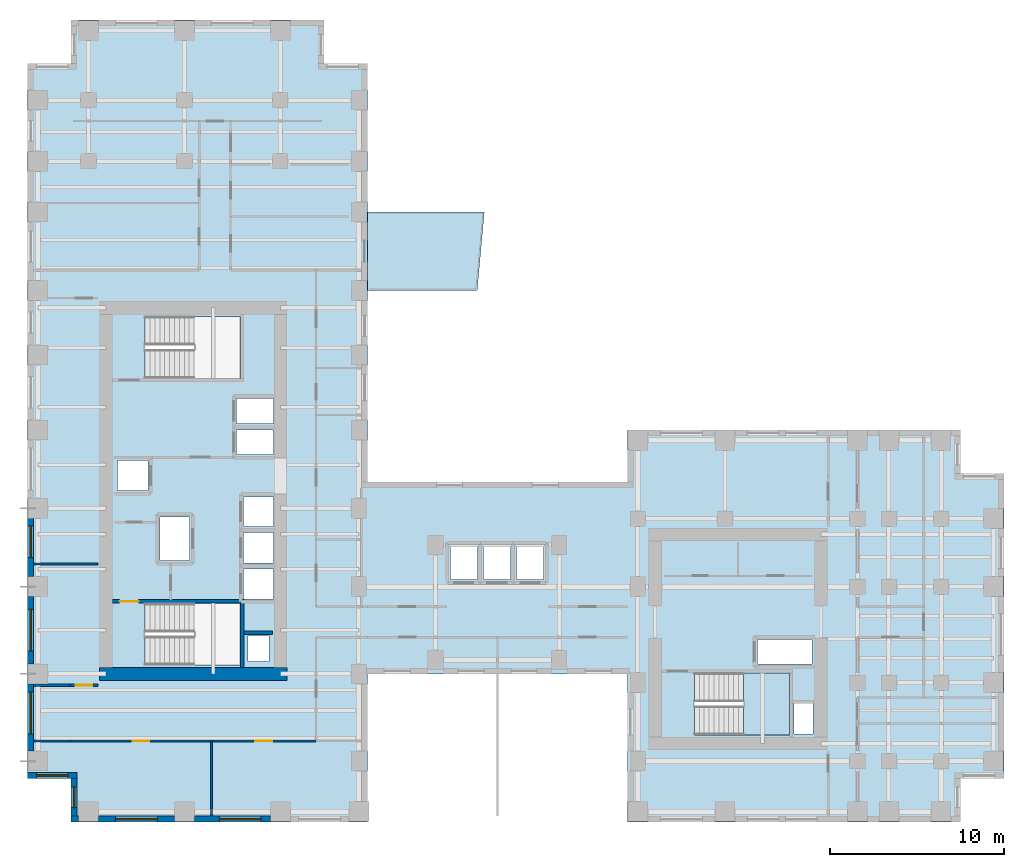
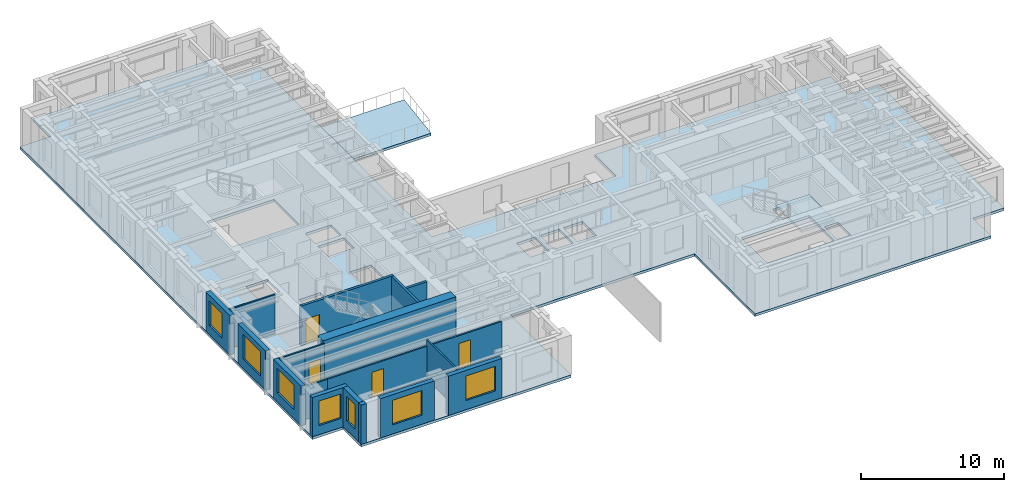
# One storey, part 3 of 11: 19 walls, 7 windows, 4 doors, 3 slabs, 11 openings, 1 element without a shape of its own.
"""IFC4 building model written with IfcOpenShell, lengths in metres."""

from ifc_helpers import new_model, si_unit, direction, frame, frame_2d, origin, place, context, subcontext, project, spatial, polyline, rectangle, outline, extrude, source, transform, mapped, material, layer, layer_set, type_object, element, fill, aggregate, save


model = new_model("IFC4")

# Units and contexts
model_context = context("Model", 3, precision=1e-05, world=origin(), true_north=direction((0.0, 1.0)))
body_context = subcontext(model_context, "Body", "Model", "MODEL_VIEW")
ifc_project = project(units=[si_unit("LENGTHUNIT", "METRE"), si_unit("AREAUNIT", "SQUARE_METRE"), si_unit("VOLUMEUNIT", "CUBIC_METRE"), si_unit("PLANEANGLEUNIT", "RADIAN"), si_unit("MASSUNIT", "GRAM", prefix="KILO")], contexts=[model_context])

# Site, building, storey
site_placement = place(None, origin())
site = spatial("IfcSite", under=ifc_project, at=site_placement, CompositionType="ELEMENT")
building_placement = place(site_placement, origin())
building = spatial("IfcBuilding", under=site, at=building_placement, Name="Kharzan Plaza Tower", CompositionType="ELEMENT")
storey_placement = place(building_placement, frame((0.0, 0.0, 127.800048828125)))
storey = spatial("IfcBuildingStorey", under=building, at=storey_placement, Name="L34", CompositionType="ELEMENT", Elevation=127.800048828125)

# Slab
ifc_material_1 = material(Name="Concrete C40/50", Category="concrete")
ifc_layer_1 = layer(ifc_material_1, 0.219970703125)
ifc_layer_set_1 = layer_set([ifc_layer_1], Name="Concrete C40/50")
slab_type_1 = type_object("IfcSlabType", Name="SL-FLOOR-220", PredefinedType="FLOOR", material=ifc_layer_set_1)
slab_1_placement = place(storey_placement, frame((0.0, 0.0, -0.219970703125)))
element("IfcSlab", 1, at=slab_1_placement, inside=storey, type_object=slab_type_1, Name="L34 Composite Structural Floor Slab 220 mm", PredefinedType="FLOOR", context=body_context, shape_type="SweptSolid", body=[
    extrude(outline(polyline([(34.39990234375, 19.5), (19.5, 19.5), (19.5, 43.5), (17.0, 43.5), (17.0, 46.0), (2.5, 46.0), (2.5, 43.5), (0.0, 43.5), (0.0, 2.5), (2.5, 2.5), (2.5, 0.0), (19.5, 0.0), (19.5, 8.5), (34.39990234375, 8.5), (34.39990234375, 0.0), (53.5, 0.0), (53.5, 2.5), (56.0, 2.5), (56.0, 20.0), (53.5, 20.0), (53.5, 22.5), (34.39990234375, 22.5), (34.39990234375, 19.5)]), holes=[polyline([(12.199951171875, 9.0), (12.199951171875, 12.550048828125), (6.75, 12.550048828125), (6.75, 9.0), (12.199951171875, 9.0)]), polyline([(14.10009765625, 12.800048828125), (14.10009765625, 14.530029296875), (12.39990234375, 14.530029296875), (12.39990234375, 12.800048828125), (14.10009765625, 12.800048828125)]), polyline([(14.10009765625, 14.8701171875), (14.10009765625, 16.60009765625), (12.39990234375, 16.60009765625), (12.39990234375, 14.8701171875), (14.10009765625, 14.8701171875)]), polyline([(9.300048828125, 15.0), (9.300048828125, 17.5), (7.60009765625, 17.5), (7.60009765625, 15.0), (9.300048828125, 15.0)]), polyline([(6.89990234375, 19.010009765625), (6.89990234375, 20.72998046875), (5.14990234375, 20.72998046875), (5.14990234375, 19.010009765625), (6.89990234375, 19.010009765625)]), polyline([(14.10009765625, 21.070068359375), (14.10009765625, 22.489990234375), (12.0, 22.489990234375), (12.0, 21.070068359375), (14.10009765625, 21.070068359375)]), polyline([(14.10009765625, 22.8701171875), (14.10009765625, 24.2900390625), (12.0, 24.2900390625), (12.0, 22.8701171875), (14.10009765625, 22.8701171875)]), polyline([(12.199951171875, 25.449951171875), (12.199951171875, 29.0), (6.75, 29.0), (6.75, 25.449951171875), (12.199951171875, 25.449951171875)]), polyline([(45.050048828125, 5.050048828125), (45.050048828125, 6.800048828125), (43.949951171875, 6.800048828125), (43.949951171875, 5.050048828125), (45.050048828125, 5.050048828125)]), polyline([(43.699951171875, 5.0), (43.699951171875, 8.550048828125), (38.25, 8.550048828125), (38.25, 5.0), (43.699951171875, 5.0)]), polyline([(45.0, 9.070068359375), (45.0, 10.469970703125), (41.85009765625, 10.469970703125), (41.85009765625, 9.070068359375), (45.0, 9.070068359375)]), polyline([(13.85009765625, 9.199951171875), (13.85009765625, 10.699951171875), (12.64990234375, 10.699951171875), (12.64990234375, 9.199951171875), (13.85009765625, 9.199951171875)]), polyline([(25.800048828125, 13.89990234375), (25.800048828125, 15.85009765625), (24.25, 15.85009765625), (24.25, 13.89990234375), (25.800048828125, 13.89990234375)]), polyline([(27.699951171875, 13.89990234375), (27.699951171875, 15.85009765625), (26.14990234375, 15.85009765625), (26.14990234375, 13.89990234375), (27.699951171875, 13.89990234375)]), polyline([(29.60009765625, 13.89990234375), (29.60009765625, 15.85009765625), (28.050048828125, 15.85009765625), (28.050048828125, 13.89990234375), (29.60009765625, 13.89990234375)]), polyline([(14.10009765625, 16.93994140625), (14.10009765625, 18.64990234375), (12.39990234375, 18.64990234375), (12.39990234375, 16.93994140625), (14.10009765625, 16.93994140625)])]), origin(), (0.0, 0.0, 1.0), 0.219970703125),
])

# Stair, slab
stair_type = type_object("IfcStairType", Name="STR-ST-3", PredefinedType="HALF_TURN_STAIR", material=ifc_material_1)
stair_placement = place(storey_placement, origin())
stair = element("IfcStair", 2, at=stair_placement, inside=storey, type_object=stair_type, Name="L34 Protected Exit Stair ST-3", PredefinedType="HALF_TURN_STAIR")
ifc_layer_2 = layer(ifc_material_1, 0.219970703125)
ifc_layer_set_2 = layer_set([ifc_layer_2], Name="Concrete C40/50")
slab_type_2 = type_object("IfcSlabType", Name="SL-LANDING-220", PredefinedType="LANDING", material=ifc_layer_set_2)
slab_2_placement = place(storey_placement, frame((0.0, 0.0, 1.599853515625)))
slab_2 = element("IfcSlab", 3, at=slab_2_placement, type_object=slab_type_2, Name="ST-3 landing 1", PredefinedType="LANDING", context=body_context, shape_type="SweptSolid", body=[
    extrude(outline(polyline([(41.050048828125, 5.0), (43.699951171875, 5.0), (43.699951171875, 8.550048828125), (41.050048828125, 8.550048828125), (41.050048828125, 5.0)])), origin(), (0.0, 0.0, 1.0), 0.2001953125),
])
aggregate(stair, [slab_2])

# Slab
ifc_layer_3 = layer(ifc_material_1, 0.215087890625)
ifc_layer_set_3 = layer_set([ifc_layer_3], Name="Concrete C40/50")
slab_type_3 = type_object("IfcSlabType", Name="SL-TRAY-215", PredefinedType="ROOF", material=ifc_layer_set_3)
slab_3_placement = place(storey_placement, frame((0.0, 0.0, -0.215087890625)))
element("IfcSlab", 4, at=slab_3_placement, inside=storey, type_object=slab_type_3, Name="L34 Sky Terrace Tray Slab", PredefinedType="ROOF", context=body_context, shape_type="SweptSolid", body=[
    extrude(outline(polyline([(19.5, 30.5), (25.7900390625, 30.5), (26.199951171875, 35.0), (19.5, 35.0), (19.5, 30.5)])), origin(), (0.0, 0.0, 1.0), 0.215087890625),
])

# Wall, opening, window
ifc_layer_4 = layer(ifc_material_1, 0.35009765625)
ifc_layer_set_4 = layer_set([ifc_layer_4], Name="Concrete C40/50")
wall_type_1 = type_object("IfcWallType", Name="WL-EXT-MAS-Z2", PredefinedType="SOLIDWALL", material=ifc_layer_set_4)
wall_1_placement = place(storey_placement, frame((0.175048828125, 17.427001953125, 0.0), z_axis=(0.0, 0.0, 1.0), x_axis=(0.0, -1.0, 0.0)))
wall_1 = element("IfcWall", 5, at=wall_1_placement, inside=storey, type_object=wall_type_1, Name="L34 Masonry-Frame Exterior Wall 23", PredefinedType="SOLIDWALL", context=body_context, shape_type="SweptSolid", body=[
    extrude(rectangle(XDim=3.35400390625, YDim=0.35009765625, at=frame_2d((1.677001953125, 0.0))), origin(), (0.0, 0.0, 1.0), 3.364990234375),
])
opening_1_placement = place(wall_1_placement, frame((0.448486328125, 0.0, 0.780029296875)))
opening_1 = element("IfcOpeningElement", 6, at=opening_1_placement, cuts=wall_1, Name="Opening W1", PredefinedType="OPENING", context=body_context, shape_type="SweptSolid", body=[
    extrude(rectangle(XDim=1.800048828125, YDim=2.10009765625, at=frame_2d((0.89990234375, 1.050048828125))), frame((0.0, 0.18505859375, 0.0), z_axis=(0.0, -1.0, 0.0), x_axis=(1.0, 0.0, 0.0)), (0.0, 0.0, 1.0), 0.3701171875),
])
ifc_material_2 = material(Name="Low-E Double Glazing", Category="glass")
window_type_1 = type_object("IfcWindowType", Name="WN-REC-1800x2100", PartitioningType="SINGLE_PANEL", PredefinedType="WINDOW", material=ifc_material_2)
shared_shape_1 = source(origin(), body_context, "Body", "SweptSolid", [
    extrude(rectangle(XDim=1.800048828125, YDim=2.10009765625, at=frame_2d((0.89990234375, 1.050048828125))), frame((0.0, 0.030029296875, 0.0), z_axis=(0.0, -1.0, 0.0), x_axis=(1.0, 0.0, 0.0)), (0.0, 0.0, 1.0), 0.06005859375),
])
window_1_placement = place(opening_1_placement, origin())
window_1 = element("IfcWindow", 7, at=window_1_placement, inside=storey, type_object=window_type_1, Name="L34 Recessed Solar-Control Window 23-1", OverallHeight=2.10009765625, OverallWidth=1.800048828125, PartitioningType="SINGLE_PANEL", PredefinedType="WINDOW", context=body_context, shape_type="MappedRepresentation", body=[
    mapped(shared_shape_1, transform((0.0, 0.0, 0.0), x_axis=(1.0, 0.0, 0.0), y_axis=(0.0, 1.0, 0.0), z_axis=(0.0, 0.0, 1.0))),
])
fill(opening_1, window_1)

wall_2_placement = place(storey_placement, frame((0.175048828125, 12.927001953125, 0.0), z_axis=(0.0, 0.0, 1.0), x_axis=(0.0, -1.0, 0.0)))
wall_2 = element("IfcWall", 8, at=wall_2_placement, inside=storey, type_object=wall_type_1, Name="L34 Masonry-Frame Exterior Wall 24", PredefinedType="SOLIDWALL", context=body_context, shape_type="SweptSolid", body=[
    extrude(rectangle(XDim=3.85400390625, YDim=0.35009765625, at=frame_2d((1.927001953125, 0.0))), origin(), (0.0, 0.0, 1.0), 3.364990234375),
])
opening_2_placement = place(wall_2_placement, frame((0.72705078125, 0.0, 0.780029296875)))
opening_2 = element("IfcOpeningElement", 9, at=opening_2_placement, cuts=wall_2, Name="Opening W2", PredefinedType="OPENING", context=body_context, shape_type="SweptSolid", body=[
    extrude(rectangle(XDim=2.39990234375, YDim=2.10009765625, at=frame_2d((1.199951171875, 1.050048828125))), frame((0.0, 0.18505859375, 0.0), z_axis=(0.0, -1.0, 0.0), x_axis=(1.0, 0.0, 0.0)), (0.0, 0.0, 1.0), 0.3701171875),
])
window_type_2 = type_object("IfcWindowType", Name="WN-REC-2400x2100", PartitioningType="SINGLE_PANEL", PredefinedType="WINDOW", material=ifc_material_2)
shared_shape_2 = source(origin(), body_context, "Body", "SweptSolid", [
    extrude(rectangle(XDim=2.39990234375, YDim=2.10009765625, at=frame_2d((1.199951171875, 1.050048828125))), frame((0.0, 0.030029296875, 0.0), z_axis=(0.0, -1.0, 0.0), x_axis=(1.0, 0.0, 0.0)), (0.0, 0.0, 1.0), 0.06005859375),
])
window_2_placement = place(opening_2_placement, origin())
window_2 = element("IfcWindow", 10, at=window_2_placement, inside=storey, type_object=window_type_2, Name="L34 Wide Recessed Solar-Control Window 24-1", OverallHeight=2.10009765625, OverallWidth=2.39990234375, PartitioningType="SINGLE_PANEL", PredefinedType="WINDOW", context=body_context, shape_type="MappedRepresentation", body=[
    mapped(shared_shape_2, transform((0.0, 0.0, 0.0), x_axis=(1.0, 0.0, 0.0), y_axis=(0.0, 1.0, 0.0), z_axis=(0.0, 0.0, 1.0))),
])
fill(opening_2, window_2)

wall_3_placement = place(storey_placement, frame((0.175048828125, 7.927001953125, 0.0), z_axis=(0.0, 0.0, 1.0), x_axis=(0.0, -1.0, 0.0)))
wall_3 = element("IfcWall", 11, at=wall_3_placement, inside=storey, type_object=wall_type_1, Name="L34 Masonry-Frame Exterior Wall 25", PredefinedType="SOLIDWALL", context=body_context, shape_type="SweptSolid", body=[
    extrude(rectangle(XDim=3.85400390625, YDim=0.35009765625, at=frame_2d((1.927001953125, 0.0))), origin(), (0.0, 0.0, 1.0), 3.364990234375),
])
opening_3_placement = place(wall_3_placement, frame((0.47705078125, 0.0, 0.780029296875)))
opening_3 = element("IfcOpeningElement", 12, at=opening_3_placement, cuts=wall_3, Name="Opening W2", PredefinedType="OPENING", context=body_context, shape_type="SweptSolid", body=[
    extrude(rectangle(XDim=2.39990234375, YDim=2.10009765625, at=frame_2d((1.199951171875, 1.050048828125))), frame((0.0, 0.18505859375, 0.0), z_axis=(0.0, -1.0, 0.0), x_axis=(1.0, 0.0, 0.0)), (0.0, 0.0, 1.0), 0.3701171875),
])
window_3_placement = place(opening_3_placement, origin())
window_3 = element("IfcWindow", 13, at=window_3_placement, inside=storey, type_object=window_type_2, Name="L34 Wide Recessed Solar-Control Window 25-1", OverallHeight=2.10009765625, OverallWidth=2.39990234375, PartitioningType="SINGLE_PANEL", PredefinedType="WINDOW", context=body_context, shape_type="MappedRepresentation", body=[
    mapped(shared_shape_2, transform((0.0, 0.0, 0.0), x_axis=(1.0, 0.0, 0.0), y_axis=(0.0, 1.0, 0.0), z_axis=(0.0, 0.0, 1.0))),
])
fill(opening_3, window_3)

wall_4_placement = place(storey_placement, frame((0.0, 2.675048828125, 0.0), z_axis=(0.0, 0.0, 1.0), x_axis=(1.0, 0.0, 0.0)))
wall_4 = element("IfcWall", 14, at=wall_4_placement, inside=storey, type_object=wall_type_1, Name="L34 Masonry-Frame Exterior Wall 26", PredefinedType="SOLIDWALL", context=body_context, shape_type="SweptSolid", body=[
    extrude(rectangle(XDim=2.85009765625, YDim=0.35009765625, at=frame_2d((1.425048828125, 0.0))), origin(), (0.0, 0.0, 1.0), 3.364990234375),
])
opening_4_placement = place(wall_4_placement, frame((0.52490234375, 0.0, 0.780029296875)))
opening_4 = element("IfcOpeningElement", 15, at=opening_4_placement, cuts=wall_4, Name="Opening W1", PredefinedType="OPENING", context=body_context, shape_type="SweptSolid", body=[
    extrude(rectangle(XDim=1.800048828125, YDim=2.10009765625, at=frame_2d((0.89990234375, 1.050048828125))), frame((0.0, 0.18505859375, 0.0), z_axis=(0.0, -1.0, 0.0), x_axis=(1.0, 0.0, 0.0)), (0.0, 0.0, 1.0), 0.3701171875),
])
window_4_placement = place(opening_4_placement, origin())
window_4 = element("IfcWindow", 16, at=window_4_placement, inside=storey, type_object=window_type_1, Name="L34 Recessed Solar-Control Window 26-1", OverallHeight=2.10009765625, OverallWidth=1.800048828125, PartitioningType="SINGLE_PANEL", PredefinedType="WINDOW", context=body_context, shape_type="MappedRepresentation", body=[
    mapped(shared_shape_1, transform((0.0, 0.0, 0.0), x_axis=(1.0, 0.0, 0.0), y_axis=(0.0, 1.0, 0.0), z_axis=(0.0, 0.0, 1.0))),
])
fill(opening_4, window_4)

wall_5_placement = place(storey_placement, frame((2.675048828125, 2.501953125, 0.0), z_axis=(0.0, 0.0, 1.0), x_axis=(0.0, -1.0, 0.0)))
wall_5 = element("IfcWall", 17, at=wall_5_placement, inside=storey, type_object=wall_type_1, Name="L34 Masonry-Frame Exterior Wall 27", PredefinedType="SOLIDWALL", context=body_context, shape_type="SweptSolid", body=[
    extrude(rectangle(XDim=2.154052734375, YDim=0.35009765625, at=frame_2d((1.0771484375, 0.0))), origin(), (0.0, 0.0, 1.0), 3.364990234375),
])
opening_5_placement = place(wall_5_placement, frame((0.47705078125, 0.0, 0.780029296875)))
opening_5 = element("IfcOpeningElement", 18, at=opening_5_placement, cuts=wall_5, Name="Opening W3", PredefinedType="OPENING", context=body_context, shape_type="SweptSolid", body=[
    extrude(rectangle(XDim=1.199951171875, YDim=2.10009765625, at=frame_2d((0.60009765625, 1.050048828125))), frame((0.0, 0.18505859375, 0.0), z_axis=(0.0, -1.0, 0.0), x_axis=(1.0, 0.0, 0.0)), (0.0, 0.0, 1.0), 0.3701171875),
])
window_type_3 = type_object("IfcWindowType", Name="WN-REC-1200x2100", PartitioningType="SINGLE_PANEL", PredefinedType="WINDOW", material=ifc_material_2)
shared_shape_3 = source(origin(), body_context, "Body", "SweptSolid", [
    extrude(rectangle(XDim=1.199951171875, YDim=2.10009765625, at=frame_2d((0.60009765625, 1.050048828125))), frame((0.0, 0.030029296875, 0.0), z_axis=(0.0, -1.0, 0.0), x_axis=(1.0, 0.0, 0.0)), (0.0, 0.0, 1.0), 0.06005859375),
])
window_5_placement = place(opening_5_placement, origin())
window_5 = element("IfcWindow", 19, at=window_5_placement, inside=storey, type_object=window_type_3, Name="L34 Recessed Solar-Control Window 27-1", OverallHeight=2.10009765625, OverallWidth=1.199951171875, PartitioningType="SINGLE_PANEL", PredefinedType="WINDOW", context=body_context, shape_type="MappedRepresentation", body=[
    mapped(shared_shape_3, transform((0.0, 0.0, 0.0), x_axis=(1.0, 0.0, 0.0), y_axis=(0.0, 1.0, 0.0), z_axis=(0.0, 0.0, 1.0))),
])
fill(opening_5, window_5)

wall_6_placement = place(storey_placement, frame((4.072998046875, 0.175048828125, 0.0), z_axis=(0.0, 0.0, 1.0), x_axis=(1.0, 0.0, 0.0)))
wall_6 = element("IfcWall", 20, at=wall_6_placement, inside=storey, type_object=wall_type_1, Name="L34 Masonry-Frame Exterior Wall 29", PredefinedType="SOLIDWALL", context=body_context, shape_type="SweptSolid", body=[
    extrude(rectangle(XDim=4.35400390625, YDim=0.35009765625, at=frame_2d((2.177001953125, 0.0))), origin(), (0.0, 0.0, 1.0), 3.364990234375),
])
opening_6_placement = place(wall_6_placement, frame((0.97705078125, 0.0, 0.780029296875)))
opening_6 = element("IfcOpeningElement", 21, at=opening_6_placement, cuts=wall_6, Name="Opening W2", PredefinedType="OPENING", context=body_context, shape_type="SweptSolid", body=[
    extrude(rectangle(XDim=2.39990234375, YDim=2.10009765625, at=frame_2d((1.199951171875, 1.050048828125))), frame((0.0, 0.18505859375, 0.0), z_axis=(0.0, -1.0, 0.0), x_axis=(1.0, 0.0, 0.0)), (0.0, 0.0, 1.0), 0.3701171875),
])
window_6_placement = place(opening_6_placement, origin())
window_6 = element("IfcWindow", 22, at=window_6_placement, inside=storey, type_object=window_type_2, Name="L34 Wide Recessed Solar-Control Window 29-1", OverallHeight=2.10009765625, OverallWidth=2.39990234375, PartitioningType="SINGLE_PANEL", PredefinedType="WINDOW", context=body_context, shape_type="MappedRepresentation", body=[
    mapped(shared_shape_2, transform((0.0, 0.0, 0.0), x_axis=(1.0, 0.0, 0.0), y_axis=(0.0, 1.0, 0.0), z_axis=(0.0, 0.0, 1.0))),
])
fill(opening_6, window_6)

wall_7_placement = place(storey_placement, frame((9.572998046875, 0.175048828125, 0.0), z_axis=(0.0, 0.0, 1.0), x_axis=(1.0, 0.0, 0.0)))
wall_7 = element("IfcWall", 23, at=wall_7_placement, inside=storey, type_object=wall_type_1, Name="L34 Masonry-Frame Exterior Wall 30", PredefinedType="SOLIDWALL", context=body_context, shape_type="SweptSolid", body=[
    extrude(rectangle(XDim=4.35400390625, YDim=0.35009765625, at=frame_2d((2.177001953125, 0.0))), origin(), (0.0, 0.0, 1.0), 3.364990234375),
])
opening_7_placement = place(wall_7_placement, frame((1.427490234375, 0.0, 0.780029296875)))
opening_7 = element("IfcOpeningElement", 24, at=opening_7_placement, cuts=wall_7, Name="Opening W2", PredefinedType="OPENING", context=body_context, shape_type="SweptSolid", body=[
    extrude(rectangle(XDim=2.39990234375, YDim=2.10009765625, at=frame_2d((1.199951171875, 1.050048828125))), frame((0.0, 0.18505859375, 0.0), z_axis=(0.0, -1.0, 0.0), x_axis=(1.0, 0.0, 0.0)), (0.0, 0.0, 1.0), 0.3701171875),
])
window_7_placement = place(opening_7_placement, origin())
window_7 = element("IfcWindow", 25, at=window_7_placement, inside=storey, type_object=window_type_2, Name="L34 Wide Recessed Solar-Control Window 30-1", OverallHeight=2.10009765625, OverallWidth=2.39990234375, PartitioningType="SINGLE_PANEL", PredefinedType="WINDOW", context=body_context, shape_type="MappedRepresentation", body=[
    mapped(shared_shape_2, transform((0.0, 0.0, 0.0), x_axis=(1.0, 0.0, 0.0), y_axis=(0.0, 1.0, 0.0), z_axis=(0.0, 0.0, 1.0))),
])
fill(opening_7, window_7)

# Wall, opening, door
ifc_material_3 = material(Name="Fire-Rated Gypsum Board Partition", Category="gypsum")
ifc_layer_5 = layer(ifc_material_3, 0.125)
ifc_layer_set_5 = layer_set([ifc_layer_5], Name="Fire-Rated Gypsum Board Partition")
wall_type_2 = type_object("IfcWallType", Name="WL-INT-PART-125", PredefinedType="PARTITIONING", material=ifc_layer_set_5)
wall_8_placement = place(storey_placement, frame((2.449951171875, 7.85009765625, 0.0), z_axis=(0.0, 0.0, 1.0), x_axis=(1.0, 0.0, 0.0)))
wall_8 = element("IfcWall", 26, at=wall_8_placement, inside=storey, type_object=wall_type_2, Name="L34 Interior Partition SH-RWSD", PredefinedType="PARTITIONING", context=body_context, shape_type="SweptSolid", body=[
    extrude(rectangle(XDim=1.60009765625, YDim=0.125, at=frame_2d((0.800048828125, 0.0))), origin(), (0.0, 0.0, 1.0), 3.364990234375),
])
opening_8_placement = place(wall_8_placement, frame((0.324951171875, 0.0, 0.0)))
opening_8 = element("IfcOpeningElement", 27, at=opening_8_placement, cuts=wall_8, Name="Opening OD1", PredefinedType="OPENING", context=body_context, shape_type="SweptSolid", body=[
    extrude(rectangle(XDim=0.949951171875, YDim=2.14990234375, at=frame_2d((0.47509765625, 1.074951171875))), frame((0.0, 0.072509765625, 0.0), z_axis=(0.0, -1.0, 0.0), x_axis=(1.0, 0.0, 0.0)), (0.0, 0.0, 1.0), 0.14501953125),
])
ifc_material_4 = material(Name="Acoustic Solid-Core Stained Oak", Category="timber")
door_type_1 = type_object("IfcDoorType", Name="DR-OFF-SINGLE", OperationType="NOTDEFINED", PredefinedType="DOOR", material=ifc_material_4)
shared_shape_4 = source(origin(), body_context, "Body", "SweptSolid", [
    extrude(rectangle(XDim=0.949951171875, YDim=2.14990234375, at=frame_2d((0.47509765625, 1.074951171875))), frame((0.0, 0.02490234375, 0.0), z_axis=(0.0, -1.0, 0.0), x_axis=(1.0, 0.0, 0.0)), (0.0, 0.0, 1.0), 0.050048828125),
])
door_1_placement = place(opening_8_placement, origin())
door_1 = element("IfcDoor", 28, at=door_1_placement, inside=storey, type_object=door_type_1, Name="L34 West Office 1 Door", OperationType="SINGLE_SWING_RIGHT", OverallHeight=2.14990234375, OverallWidth=0.949951171875, PredefinedType="DOOR", context=body_context, shape_type="MappedRepresentation", body=[
    mapped(shared_shape_4, transform((0.0, 0.0, 0.0), x_axis=(1.0, 0.0, 0.0), y_axis=(0.0, 1.0, 0.0), z_axis=(0.0, 0.0, 1.0))),
])
fill(opening_8, door_1)

wall_9_placement = place(storey_placement, frame((2.449951171875, 4.64990234375, 0.0), z_axis=(0.0, 0.0, 1.0), x_axis=(1.0, 0.0, 0.0)))
wall_9 = element("IfcWall", 29, at=wall_9_placement, inside=storey, type_object=wall_type_2, Name="L34 Interior Partition SH-SS-1", PredefinedType="PARTITIONING", context=body_context, shape_type="SweptSolid", body=[
    extrude(rectangle(XDim=8.093994140625, YDim=0.125, at=frame_2d((4.046875, 0.0))), origin(), (0.0, 0.0, 1.0), 2.827880859375),
])
opening_9_placement = place(wall_9_placement, frame((3.572021484375, 0.0, 0.0)))
opening_9 = element("IfcOpeningElement", 30, at=opening_9_placement, cuts=wall_9, Name="Opening OD1", PredefinedType="OPENING", context=body_context, shape_type="SweptSolid", body=[
    extrude(rectangle(XDim=0.949951171875, YDim=2.14990234375, at=frame_2d((0.47509765625, 1.074951171875))), frame((0.0, 0.072509765625, 0.0), z_axis=(0.0, -1.0, 0.0), x_axis=(1.0, 0.0, 0.0)), (0.0, 0.0, 1.0), 0.14501953125),
])
door_2_placement = place(opening_9_placement, origin())
door_2 = element("IfcDoor", 31, at=door_2_placement, inside=storey, type_object=door_type_1, Name="L34 Software Engineering Office Door", OperationType="SINGLE_SWING_RIGHT", OverallHeight=2.14990234375, OverallWidth=0.949951171875, PredefinedType="DOOR", context=body_context, shape_type="MappedRepresentation", body=[
    mapped(shared_shape_4, transform((0.0, 0.0, 0.0), x_axis=(1.0, 0.0, 0.0), y_axis=(0.0, 1.0, 0.0), z_axis=(0.0, 0.0, 1.0))),
])
fill(opening_9, door_2)

wall_10_placement = place(storey_placement, frame((10.5439453125, 4.64990234375, 0.0), z_axis=(0.0, 0.0, 1.0), x_axis=(1.0, 0.0, 0.0)))
wall_10 = element("IfcWall", 32, at=wall_10_placement, inside=storey, type_object=wall_type_2, Name="L34 Interior Partition SH-SS-2", PredefinedType="PARTITIONING", context=body_context, shape_type="SweptSolid", body=[
    extrude(rectangle(XDim=6.006103515625, YDim=0.125, at=frame_2d((3.0029296875, 0.0))), origin(), (0.0, 0.0, 1.0), 2.827880859375),
])
opening_10_placement = place(wall_10_placement, frame((2.528076171875, 0.0, 0.0)))
opening_10 = element("IfcOpeningElement", 33, at=opening_10_placement, cuts=wall_10, Name="Opening OD1", PredefinedType="OPENING", context=body_context, shape_type="SweptSolid", body=[
    extrude(rectangle(XDim=0.949951171875, YDim=2.14990234375, at=frame_2d((0.47509765625, 1.074951171875))), frame((0.0, 0.072509765625, 0.0), z_axis=(0.0, -1.0, 0.0), x_axis=(1.0, 0.0, 0.0)), (0.0, 0.0, 1.0), 0.14501953125),
])
door_3_placement = place(opening_10_placement, origin())
door_3 = element("IfcDoor", 34, at=door_3_placement, inside=storey, type_object=door_type_1, Name="L34 Cloud Architecture Office Door", OperationType="SINGLE_SWING_LEFT", OverallHeight=2.14990234375, OverallWidth=0.949951171875, PredefinedType="DOOR", context=body_context, shape_type="MappedRepresentation", body=[
    mapped(shared_shape_4, transform((0.0, 0.0, 0.0), x_axis=(1.0, 0.0, 0.0), y_axis=(0.0, 1.0, 0.0), z_axis=(0.0, 0.0, 1.0))),
])
fill(opening_10, door_3)

ifc_material_5 = material(Name="Concrete C50/60", Category="concrete")
ifc_layer_6 = layer(ifc_material_5, 0.199951171875)
ifc_layer_set_6 = layer_set([ifc_layer_6], Name="Concrete C50/60")
wall_type_3 = type_object("IfcWallType", Name="WL-SHAFT-RC200", PredefinedType="SHEAR", material=ifc_layer_set_6)
wall_11_placement = place(storey_placement, frame((4.876953125, 12.655029296875, 0.0), z_axis=(0.0, 0.0, 1.0), x_axis=(1.0, 0.0, 0.0)))
wall_11 = element("IfcWall", 35, at=wall_11_placement, inside=storey, type_object=wall_type_3, Name="L34 Stair ST-1 North RC Shaft Wall", PredefinedType="SHEAR", context=body_context, shape_type="SweptSolid", body=[
    extrude(rectangle(XDim=7.528076171875, YDim=0.199951171875, at=frame_2d((3.76416015625, 0.0))), origin(), (0.0, 0.0, 1.0), 3.3798828125),
])
opening_11_placement = place(wall_11_placement, frame((0.39990234375, 0.0, 0.0)))
opening_11 = element("IfcOpeningElement", 36, at=opening_11_placement, cuts=wall_11, Name="Opening SD1", PredefinedType="OPENING", context=body_context, shape_type="SweptSolid", body=[
    extrude(rectangle(XDim=1.10009765625, YDim=2.14990234375, at=frame_2d((0.550048828125, 1.074951171875))), frame((0.0, 0.10986328125, 0.0), z_axis=(0.0, -1.0, 0.0), x_axis=(1.0, 0.0, 0.0)), (0.0, 0.0, 1.0), 0.219970703125),
])
ifc_material_6 = material(Name="Fire-Rated Hollow Galvanized Steel", Category="steel")
door_type_2 = type_object("IfcDoorType", Name="DR-STAIR-FD120", OperationType="NOTDEFINED", PredefinedType="DOOR", material=ifc_material_6)
shared_shape_5 = source(origin(), body_context, "Body", "SweptSolid", [
    extrude(rectangle(XDim=1.10009765625, YDim=2.14990234375, at=frame_2d((0.550048828125, 1.074951171875))), frame((0.0, 0.02490234375, 0.0), z_axis=(0.0, -1.0, 0.0), x_axis=(1.0, 0.0, 0.0)), (0.0, 0.0, 1.0), 0.050048828125),
])
door_4_placement = place(opening_11_placement, origin())
door_4 = element("IfcDoor", 37, at=door_4_placement, inside=storey, type_object=door_type_2, Name="L34 Stair ST-1 Fire Exit Door", OperationType="SINGLE_SWING_RIGHT", OverallHeight=2.14990234375, OverallWidth=1.10009765625, PredefinedType="DOOR", context=body_context, shape_type="MappedRepresentation", body=[
    mapped(shared_shape_5, transform((0.0, 0.0, 0.0), x_axis=(1.0, 0.0, 0.0), y_axis=(0.0, 1.0, 0.0), z_axis=(0.0, 0.0, 1.0))),
])
fill(opening_11, door_4)

# Walls
shared_shape_6 = source(origin(), body_context, "Body", "SweptSolid", [
    extrude(rectangle(XDim=2.097900390625, YDim=0.125, at=frame_2d((1.048828125, 0.0))), origin(), (0.0, 0.0, 1.0), 2.827880859375),
])
wall_12_placement = place(storey_placement, frame((0.35205078125, 4.64990234375, 0.0), z_axis=(0.0, 0.0, 1.0), x_axis=(1.0, 0.0, 0.0)))
element("IfcWall", 38, at=wall_12_placement, inside=storey, type_object=wall_type_2, Name="L34 Interior Partition SH-SS-EXT", PredefinedType="PARTITIONING", context=body_context, shape_type="MappedRepresentation", body=[
    mapped(shared_shape_6, transform((0.0, 0.0, 0.0), x_axis=(1.0, 0.0, 0.0), y_axis=(0.0, 1.0, 0.0), z_axis=(0.0, 0.0, 1.0))),
])
shared_shape_7 = source(origin(), body_context, "Body", "SweptSolid", [
    extrude(rectangle(XDim=4.2978515625, YDim=0.125, at=frame_2d((2.14892578125, 0.0))), origin(), (0.0, 0.0, 1.0), 3.364990234375),
])
wall_13_placement = place(storey_placement, frame((10.5439453125, 0.35205078125, 0.0), z_axis=(0.0, 0.0, 1.0), x_axis=(0.0, 1.0, 0.0)))
element("IfcWall", 39, at=wall_13_placement, inside=storey, type_object=wall_type_2, Name="L34 Interior Partition SH-SV-1", PredefinedType="PARTITIONING", context=body_context, shape_type="MappedRepresentation", body=[
    mapped(shared_shape_7, transform((0.0, 0.0, 0.0), x_axis=(1.0, 0.0, 0.0), y_axis=(0.0, 1.0, 0.0), z_axis=(0.0, 0.0, 1.0))),
])
shared_shape_8 = source(origin(), body_context, "Body", "SweptSolid", [
    extrude(rectangle(XDim=2.097900390625, YDim=0.125, at=frame_2d((1.048828125, 0.0))), origin(), (0.0, 0.0, 1.0), 3.364990234375),
])
wall_14_placement = place(storey_placement, frame((0.35205078125, 7.85009765625, 0.0), z_axis=(0.0, 0.0, 1.0), x_axis=(1.0, 0.0, 0.0)))
element("IfcWall", 40, at=wall_14_placement, inside=storey, type_object=wall_type_2, Name="L34 Interior Partition SH-RWS0", PredefinedType="PARTITIONING", context=body_context, shape_type="MappedRepresentation", body=[
    mapped(shared_shape_8, transform((0.0, 0.0, 0.0), x_axis=(1.0, 0.0, 0.0), y_axis=(0.0, 1.0, 0.0), z_axis=(0.0, 0.0, 1.0))),
])
shared_shape_9 = source(origin(), body_context, "Body", "SweptSolid", [
    extrude(rectangle(XDim=0.427001953125, YDim=0.35009765625, at=frame_2d((0.21337890625, 0.0))), origin(), (0.0, 0.0, 1.0), 3.364990234375),
])
wall_15_placement = place(storey_placement, frame((2.5, 0.175048828125, 0.0), z_axis=(0.0, 0.0, 1.0), x_axis=(1.0, 0.0, 0.0)))
element("IfcWall", 41, at=wall_15_placement, inside=storey, type_object=wall_type_1, Name="L34 Masonry-Frame Exterior Wall 28", PredefinedType="SOLIDWALL", context=body_context, shape_type="MappedRepresentation", body=[
    mapped(shared_shape_9, transform((0.0, 0.0, 0.0), x_axis=(1.0, 0.0, 0.0), y_axis=(0.0, 1.0, 0.0), z_axis=(0.0, 0.0, 1.0))),
])
shared_shape_10 = source(origin(), body_context, "Body", "SweptSolid", [
    extrude(rectangle(XDim=3.697998046875, YDim=0.125, at=frame_2d((1.84912109375, 0.0))), origin(), (0.0, 0.0, 1.0), 3.364990234375),
])
wall_16_placement = place(storey_placement, frame((0.35205078125, 14.800048828125, 0.0), z_axis=(0.0, 0.0, 1.0), x_axis=(1.0, 0.0, 0.0)))
element("IfcWall", 42, at=wall_16_placement, inside=storey, type_object=wall_type_2, Name="L34 Interior Partition SH-WMID", PredefinedType="PARTITIONING", context=body_context, shape_type="MappedRepresentation", body=[
    mapped(shared_shape_10, transform((0.0, 0.0, 0.0), x_axis=(1.0, 0.0, 0.0), y_axis=(0.0, 1.0, 0.0), z_axis=(0.0, 0.0, 1.0))),
])
ifc_layer_7 = layer(ifc_material_1, 0.199951171875)
ifc_layer_set_7 = layer_set([ifc_layer_7], Name="Concrete C40/50")
wall_type_4 = type_object("IfcWallType", Name="WL-INT-SHAFT-200", PredefinedType="PARTITIONING", material=ifc_layer_set_7)
shared_shape_11 = source(origin(), body_context, "Body", "SweptSolid", [
    extrude(rectangle(XDim=1.630126953125, YDim=0.199951171875, at=frame_2d((0.81494140625, 0.0))), origin(), (0.0, 0.0, 1.0), 3.364990234375),
])
wall_17_placement = place(storey_placement, frame((12.419921875, 10.85009765625, 0.0), z_axis=(0.0, 0.0, 1.0), x_axis=(1.0, 0.0, 0.0)))
element("IfcWall", 43, at=wall_17_placement, inside=storey, type_object=wall_type_4, Name="L34 Interior Partition CA-RSRA-N", PredefinedType="PARTITIONING", context=body_context, shape_type="MappedRepresentation", body=[
    mapped(shared_shape_11, transform((0.0, 0.0, 0.0), x_axis=(1.0, 0.0, 0.0), y_axis=(0.0, 1.0, 0.0), z_axis=(0.0, 0.0, 1.0))),
])
ifc_material_7 = material(Name="Concrete C60/75", Category="concrete")
ifc_layer_8 = layer(ifc_material_7, 0.75)
ifc_layer_set_8 = layer_set([ifc_layer_8], Name="Concrete C60/75")
wall_type_5 = type_object("IfcWallType", Name="WL-CORE-750", PredefinedType="SHEAR", material=ifc_layer_set_8)
shared_shape_12 = source(origin(), body_context, "Body", "SweptSolid", [
    extrude(rectangle(XDim=10.75, YDim=0.75, at=frame_2d((5.375, 0.0))), origin(), (0.0, 0.0, 1.0), 3.3798828125),
])
wall_18_placement = place(storey_placement, frame((4.125, 8.5, 0.0), z_axis=(0.0, 0.0, 1.0), x_axis=(1.0, 0.0, 0.0)))
element("IfcWall", 44, at=wall_18_placement, inside=storey, type_object=wall_type_5, Name="L34 CORE-A south RC shear wall", PredefinedType="SHEAR", context=body_context, shape_type="MappedRepresentation", body=[
    mapped(shared_shape_12, transform((0.0, 0.0, 0.0), x_axis=(1.0, 0.0, 0.0), y_axis=(0.0, 1.0, 0.0), z_axis=(0.0, 0.0, 1.0))),
])
shared_shape_13 = source(origin(), body_context, "Body", "SweptSolid", [
    extrude(rectangle(XDim=3.677978515625, YDim=0.199951171875, at=frame_2d((1.8388671875, 0.0))), origin(), (0.0, 0.0, 1.0), 3.3798828125),
])
wall_19_placement = place(storey_placement, frame((12.304931640625, 8.876953125, 0.0), z_axis=(0.0, 0.0, 1.0), x_axis=(0.0, 1.0, 0.0)))
element("IfcWall", 45, at=wall_19_placement, inside=storey, type_object=wall_type_3, Name="L34 Stair ST-1 East RC Shaft Wall", PredefinedType="SHEAR", context=body_context, shape_type="MappedRepresentation", body=[
    mapped(shared_shape_13, transform((0.0, 0.0, 0.0), x_axis=(1.0, 0.0, 0.0), y_axis=(0.0, 1.0, 0.0), z_axis=(0.0, 0.0, 1.0))),
])

save(model, "model.ifc")
